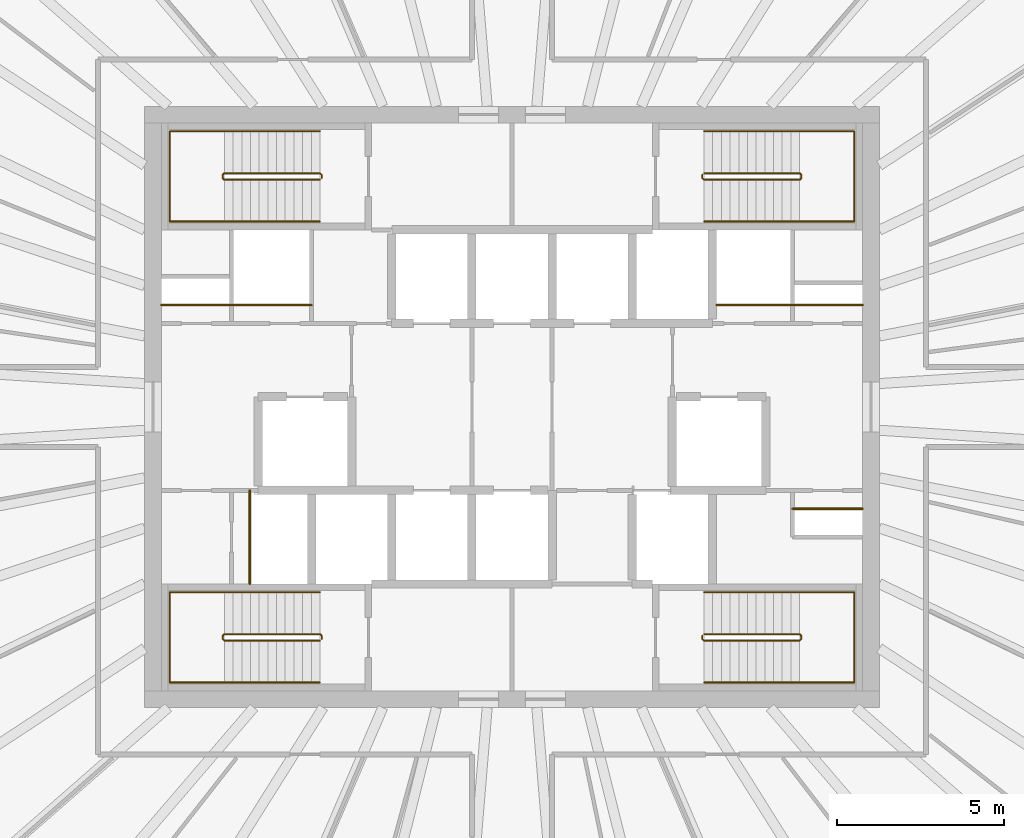
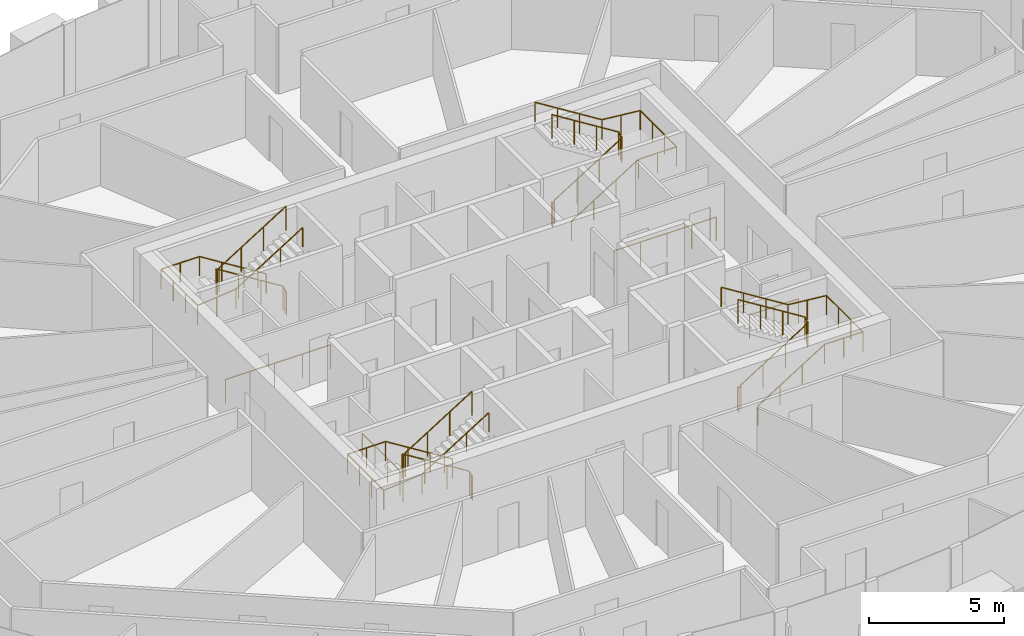
# One storey, part 12 of 12: 14 railings.
"""IFC4 building model written with IfcOpenShell, lengths in metres."""

import ifcopenshell
import ifcopenshell.guid

model = None  # the IFC model being written
_history = None  # IfcOwnerHistory: only IFC2X3 demands one
_inside = {}  # id of a spatial element -> (the spatial element, [elements in it])
_under = {}  # id of a project, library or spatial element -> (it, [spatial elements below it])
_declared = {}  # id of a project -> (the project, [libraries it declares])
_typed = {}  # id of a type object -> (the type object, [elements of that type])
_made_of = {}  # id of a material, layer set ... -> (it, [elements and type objects made of it])


def new_model(schema):
    """Start an empty IFC model of exactly this schema.

    Asked for "IFC4X3", IfcOpenShell would pick the latest addendum, in which some entities
    have other attributes; the version numbers below select the first issue.
    IFC2X3 requires an IfcOwnerHistory on every rooted entity: one is made here for all.
    """
    global model, _history
    if schema == "IFC4X3":
        model = ifcopenshell.file(schema_version=(4, 3, 0, 0))
    else:
        model = ifcopenshell.file(schema=schema)
    _inside.clear()
    _under.clear()
    _declared.clear()
    _typed.clear()
    _made_of.clear()
    _history = None
    if model.schema == "IFC2X3":
        org = make("IfcOrganization", Name="unknown")
        user = make(
            "IfcPersonAndOrganization",
            ThePerson=make("IfcPerson", FamilyName="unknown"),
            TheOrganization=org,
        )
        app = make(
            "IfcApplication",
            ApplicationDeveloper=org,
            Version="unknown",
            ApplicationFullName="unknown",
            ApplicationIdentifier="unknown",
        )
        _history = make(
            "IfcOwnerHistory",
            OwningUser=user,
            OwningApplication=app,
            ChangeAction="ADDED",
            CreationDate=0,
        )
    return model


def make(cls, **values):
    """One entity of the class cls with the attributes given. An attribute that is None is left unset."""
    return model.create_entity(
        cls, **{name: value for name, value in values.items() if value is not None}
    )


def rooted(cls, **values):
    """An entity with a GlobalId (a new one), such as an element, a storey or a relation."""
    return make(cls, GlobalId=ifcopenshell.guid.new(), OwnerHistory=_history, **values)


def si_unit(unit_type, name, prefix=None):
    """IfcSIUnit, for example si_unit("LENGTHUNIT", "METRE", prefix="MILLI")."""
    return make("IfcSIUnit", UnitType=unit_type, Prefix=prefix, Name=name)


def assignment(units):
    """IfcUnitAssignment: the units of a project."""
    return None if units is None else make("IfcUnitAssignment", Units=units)


def point(xyz):
    """IfcCartesianPoint."""
    return None if xyz is None else make("IfcCartesianPoint", Coordinates=xyz)


def direction(xyz):
    """IfcDirection."""
    return None if xyz is None else make("IfcDirection", DirectionRatios=xyz)


def frame(location, z_axis=None, x_axis=None):
    """IfcAxis2Placement3D, a coordinate frame: its origin and axes. An axis left out is left unset."""
    return make(
        "IfcAxis2Placement3D",
        Location=point(location),
        Axis=direction(z_axis),
        RefDirection=direction(x_axis),
    )


def frame_2d(location, x_axis=None):
    """IfcAxis2Placement2D, a coordinate frame in the plane: its origin and x axis."""
    return make(
        "IfcAxis2Placement2D", Location=point(location), RefDirection=direction(x_axis)
    )


def origin():
    """The frame at (0, 0, 0) with its axes left unset."""
    return frame((0.0, 0.0, 0.0))


def origin_2d():
    """The frame at (0, 0) in the plane with its x axis left unset."""
    return frame_2d((0.0, 0.0))


def place(relative_to, where):
    """IfcLocalPlacement: puts the frame where relative to a parent placement (None: the world)."""
    return make(
        "IfcLocalPlacement", PlacementRelTo=relative_to, RelativePlacement=where
    )


def context(
    kind, dimensions, precision=None, world=None, true_north=None, identifier=None
):
    """IfcGeometricRepresentationContext, for example the 3D "Model" context."""
    return make(
        "IfcGeometricRepresentationContext",
        ContextIdentifier=identifier,
        ContextType=kind,
        CoordinateSpaceDimension=dimensions,
        Precision=precision,
        WorldCoordinateSystem=world,
        TrueNorth=true_north,
    )


def subcontext(parent, identifier, kind, view, scale=None):
    """IfcGeometricRepresentationSubContext, for example "Body" below "Model"."""
    return make(
        "IfcGeometricRepresentationSubContext",
        ContextIdentifier=identifier,
        ContextType=kind,
        ParentContext=parent,
        TargetScale=scale,
        TargetView=view,
    )


def project(units=None, contexts=None):
    """IfcProject with its units and contexts."""
    return rooted(
        "IfcProject",
        Name="project",
        RepresentationContexts=contexts,
        UnitsInContext=assignment(units),
    )


def spatial(cls, under=None, at=None, **own):
    """A site, building, storey or space (cls), placed at a placement, below another one or the project."""
    s = rooted(cls, ObjectPlacement=at, **own)
    if under is not None:
        _under.setdefault(under.id(), (under, []))[1].append(s)
    return s


def profile(cls, at=None, kind="AREA", **sizes):
    """A parametric profile (cls). Its sizes go by their IFC names, for example OverallWidth=200.0."""
    return make(cls, ProfileType=kind, Position=at, **sizes)


def circle(**sizes):
    """IfcCircleProfileDef."""
    return profile("IfcCircleProfileDef", **sizes)


def extrude(swept, where, along, depth):
    """IfcExtrudedAreaSolid: the profile swept, set in the frame where, extruded along a direction by depth."""
    return make(
        "IfcExtrudedAreaSolid",
        SweptArea=swept,
        Position=where,
        ExtrudedDirection=direction(along),
        Depth=depth,
    )


def shape(context_of_items, identifier, shape_type, items):
    """IfcShapeRepresentation: the items that make up one representation, for example the "Body"."""
    return make(
        "IfcShapeRepresentation",
        ContextOfItems=context_of_items,
        RepresentationIdentifier=identifier,
        RepresentationType=shape_type,
        Items=items,
    )


def source(mapping_origin, context_of_items, identifier, shape_type, items):
    """IfcRepresentationMap: a shape defined once, which mapped items show again and again."""
    return make(
        "IfcRepresentationMap",
        MappingOrigin=mapping_origin,
        MappedRepresentation=shape(context_of_items, identifier, shape_type, items),
    )


def transform(
    local_origin,
    x_axis=None,
    y_axis=None,
    z_axis=None,
    scale=None,
    scale2=None,
    scale3=None,
    uniform=True,
):
    """IfcCartesianTransformationOperator3D, or its non-uniform kind. x_axis, y_axis, z_axis: its Axis1, 2, 3."""
    if uniform:
        return make(
            "IfcCartesianTransformationOperator3D",
            Axis1=direction(x_axis),
            Axis2=direction(y_axis),
            LocalOrigin=point(local_origin),
            Scale=scale,
            Axis3=direction(z_axis),
        )
    return make(
        "IfcCartesianTransformationOperator3DnonUniform",
        Axis1=direction(x_axis),
        Axis2=direction(y_axis),
        LocalOrigin=point(local_origin),
        Scale=scale,
        Axis3=direction(z_axis),
        Scale2=scale2,
        Scale3=scale3,
    )


def mapped(mapping_source, mapping_target):
    """IfcMappedItem: shows the shape of a source again, moved by a transform."""
    return make(
        "IfcMappedItem", MappingSource=mapping_source, MappingTarget=mapping_target
    )


def material(Name=None, Category=None):
    """IfcMaterial."""
    return make("IfcMaterial", Name=Name, Category=Category)


def made_of(thing, what):
    """Note that an element or type object is made of a material, layer set ...; save() writes the relation."""
    if what is not None:
        _made_of.setdefault(what.id(), (what, []))[1].append(thing)
    return thing


def type_object(cls, material=None, **own):
    """A type object (cls), such as IfcWallType, which elements share."""
    return made_of(rooted(cls, **own), material)


def element(
    cls,
    number,
    at=None,
    inside=None,
    cuts=None,
    type_object=None,
    material=None,
    context=None,
    identifier="Body",
    shape_type=None,
    held_by="IfcProductDefinitionShape",
    body=None,
    shapes=None,
    **own,
):
    """One element of the class cls, such as IfcWall. Its Tag is "e" and its number.

    at: its placement. inside: the storey or other place that contains it. cuts: it is an
    opening in that element (IfcRelVoidsElement). A single representation is given by context,
    identifier, shape_type and body (its items); several are given by shapes. held_by: the class
    of the entity that holds the representations. save() writes the other relations.
    """
    e = rooted(cls, Tag="e%d" % number, ObjectPlacement=at, **own)
    if body is not None:
        shapes = [shape(context, identifier, shape_type, body)]
    if shapes is not None:
        e.Representation = make(held_by, Representations=shapes)
    if inside is not None:
        _inside.setdefault(inside.id(), (inside, []))[1].append(e)
    if cuts is not None:
        rooted(
            "IfcRelVoidsElement", RelatingBuildingElement=cuts, RelatedOpeningElement=e
        )
    if type_object is not None:
        _typed.setdefault(type_object.id(), (type_object, []))[1].append(e)
    return made_of(e, material)


def aggregate(whole, parts):
    """IfcRelAggregates: a whole, such as a stair, and the parts it consists of."""
    return rooted("IfcRelAggregates", RelatingObject=whole, RelatedObjects=parts)


def save(model, path):
    """Write the relations noted so far, then the file.

    IfcRelAggregates (storeys below a building ...), IfcRelContainedInSpatialStructure (elements
    in a storey), IfcRelDefinesByType, IfcRelAssociatesMaterial and IfcRelDeclares: one each for
    every whole, place, type object, material and project.
    """
    for whole, parts in _under.values():
        aggregate(whole, parts)
    for where, things in _inside.values():
        rooted(
            "IfcRelContainedInSpatialStructure",
            RelatedElements=things,
            RelatingStructure=where,
        )
    for kind, things in _typed.values():
        rooted("IfcRelDefinesByType", RelatedObjects=things, RelatingType=kind)
    for what, things in _made_of.values():
        rooted("IfcRelAssociatesMaterial", RelatedObjects=things, RelatingMaterial=what)
    for by, libraries in _declared.values():
        rooted("IfcRelDeclares", RelatingContext=by, RelatedDefinitions=libraries)
    model.write(path)


model = new_model("IFC4")

# Units and contexts
model_context = context("Model", 3, precision=1e-05, world=origin(), true_north=direction((0.0, 1.0)))
body_context = subcontext(model_context, "Body", "Model", "MODEL_VIEW")
ifc_project = project(units=[si_unit("LENGTHUNIT", "METRE"), si_unit("AREAUNIT", "SQUARE_METRE"), si_unit("VOLUMEUNIT", "CUBIC_METRE"), si_unit("PLANEANGLEUNIT", "RADIAN"), si_unit("MASSUNIT", "GRAM", prefix="KILO")], contexts=[model_context])

# Site, building, storey
site_placement = place(None, origin())
site = spatial("IfcSite", under=ifc_project, at=site_placement, CompositionType="ELEMENT")
building_placement = place(site_placement, origin())
building = spatial("IfcBuilding", under=site, at=building_placement, Name="Embergate Tower", CompositionType="ELEMENT")
storey_placement = place(building_placement, frame((0.0, 0.0, 285.10009765625)))
storey = spatial("IfcBuildingStorey", under=building, at=storey_placement, Name="L66", CompositionType="ELEMENT", Elevation=285.10009765625)

# Railings
ifc_material_1 = material(Name="Stair handrail 900")
railing_type_1 = type_object("IfcRailingType", Name="Stair handrail 900", PredefinedType="HANDRAIL", material=ifc_material_1)
shared_shape_1 = source(origin(), body_context, "Body", "SweptSolid", [
    extrude(circle(Radius=0.02392578125, at=origin_2d()), frame((0.0, 0.0, 0.8759765625), z_axis=(-0.847994237388, 0.0, 0.530005446535), x_axis=(0.0, -1.0, 0.0)), (0.0, 0.0, 1.0), 3.372802734375),
    extrude(circle(Radius=0.02392578125, at=origin_2d()), frame((-2.860107421875, 0.0, 2.66357421875), z_axis=(-1.0, 0.0, 0.0), x_axis=(0.0, -1.0, 0.0)), (0.0, 0.0, 1.0), 1.639892578125),
    extrude(circle(Radius=0.02392578125, at=origin_2d()), frame((-4.5, 0.0, 2.66357421875), z_axis=(0.0, -1.0, 0.0), x_axis=(1.0, 0.0, 0.0)), (0.0, 0.0, 1.0), 2.699951171875),
    extrude(circle(Radius=0.02392578125, at=origin_2d()), frame((-4.5, -2.699951171875, 2.66357421875), z_axis=(0.995134983717, 0.0, 0.098520881967), x_axis=(0.0, 1.0, 0.0)), (0.0, 0.0, 1.0), 1.64794921875),
    extrude(circle(Radius=0.02392578125, at=origin_2d()), frame((-2.860107421875, -2.699951171875, 2.82568359375), z_axis=(0.847994237388, 0.0, 0.530005446535), x_axis=(0.0, 1.0, 0.0)), (0.0, 0.0, 1.0), 3.372802734375),
    extrude(circle(Radius=0.02099609375, at=origin_2d()), origin(), (0.0, 0.0, 1.0), 0.851806640625),
    extrude(circle(Radius=0.02099609375, at=origin_2d()), frame((-0.953369140625, 0.0, 0.595947265625)), (0.0, 0.0, 1.0), 0.851806640625),
    extrude(circle(Radius=0.02099609375, at=origin_2d()), frame((-1.90673828125, 0.0, 1.191650390625)), (0.0, 0.0, 1.0), 0.851806640625),
    extrude(circle(Radius=0.02099609375, at=origin_2d()), frame((-2.860107421875, 0.0, 1.78759765625)), (0.0, 0.0, 1.0), 0.851806640625),
    extrude(circle(Radius=0.02099609375, at=origin_2d()), frame((-3.68017578125, 0.0, 1.78759765625)), (0.0, 0.0, 1.0), 0.851806640625),
    extrude(circle(Radius=0.02099609375, at=origin_2d()), frame((-4.5, 0.0, 1.78759765625)), (0.0, 0.0, 1.0), 0.851806640625),
    extrude(circle(Radius=0.02099609375, at=origin_2d()), frame((-4.5, -0.89990234375, 1.78759765625)), (0.0, 0.0, 1.0), 0.851806640625),
    extrude(circle(Radius=0.02099609375, at=origin_2d()), frame((-4.5, -1.800048828125, 1.78759765625)), (0.0, 0.0, 1.0), 0.851806640625),
    extrude(circle(Radius=0.02099609375, at=origin_2d()), frame((-4.5, -2.699951171875, 1.78759765625)), (0.0, 0.0, 1.0), 0.851806640625),
    extrude(circle(Radius=0.02099609375, at=origin_2d()), frame((-3.68017578125, -2.699951171875, 1.86865234375)), (0.0, 0.0, 1.0), 0.851806640625),
    extrude(circle(Radius=0.02099609375, at=origin_2d()), frame((-2.860107421875, -2.699951171875, 1.949951171875)), (0.0, 0.0, 1.0), 0.851806640625),
    extrude(circle(Radius=0.02099609375, at=origin_2d()), frame((-1.90673828125, -2.699951171875, 2.5458984375)), (0.0, 0.0, 1.0), 0.851806640625),
    extrude(circle(Radius=0.02099609375, at=origin_2d()), frame((-0.953369140625, -2.699951171875, 3.1416015625)), (0.0, 0.0, 1.0), 0.851806640625),
    extrude(circle(Radius=0.02099609375, at=origin_2d()), frame((0.0, -2.699951171875, 3.737548828125)), (0.0, 0.0, 1.0), 0.851806640625),
])
for number, where, name in (
    (1, (-5.75, 8.25, 0.162353515625), "L66 ST1 stair handrail 1"),
    (2, (-5.75, -5.550048828125, 0.162353515625), "L66 ST3 stair handrail 1"),
):
    element("IfcRailing", number, at=place(storey_placement, frame(where)), inside=storey, type_object=railing_type_1, Name=name, PredefinedType="HANDRAIL", context=body_context, shape_type="MappedRepresentation", body=[
        mapped(shared_shape_1, transform((0.0, 0.0, 0.0))),
    ])
ifc_material_2 = material(Name="Stair guard 1100")
railing_type_2 = type_object("IfcRailingType", Name="Stair guard 1100", PredefinedType="GUARDRAIL", material=ifc_material_2)
shared_shape_2 = source(origin(), body_context, "Body", "SweptSolid", [
    extrude(circle(Radius=0.02392578125, at=origin_2d()), frame((0.0, 0.0, 1.076171875), z_axis=(0.0, 1.0, 0.0), x_axis=(-1.0, 0.0, 0.0)), (0.0, 0.0, 1.0), 0.099853515625),
    extrude(circle(Radius=0.02392578125, at=origin_2d()), frame((0.0, 0.099853515625, 1.076171875), z_axis=(-0.282583949758, 0.282583949758, 0.916674763849), x_axis=(-0.707106781187, -0.707106781187, 0.0)), (0.0, 0.0, 1.0), 0.177001953125),
    extrude(circle(Radius=0.02392578125, at=origin_2d()), frame((-0.050048828125, 0.14990234375, 1.23828125), z_axis=(-0.847994237388, 0.0, 0.530005446535), x_axis=(0.0, -1.0, 0.0)), (0.0, 0.0, 1.0), 3.372802734375),
    extrude(circle(Radius=0.02392578125, at=origin_2d()), frame((-2.91015625, 0.14990234375, 3.02587890625), z_axis=(-0.705375805398, -0.708833529934, 0.0), x_axis=(0.708833529934, -0.705375805398, 0.0)), (0.0, 0.0, 1.0), 0.070556640625),
    extrude(circle(Radius=0.02392578125, at=origin_2d()), frame((-2.9599609375, 0.099853515625, 3.02587890625), z_axis=(0.0, -1.0, 0.0), x_axis=(1.0, 0.0, 0.0)), (0.0, 0.0, 1.0), 0.099853515625),
    extrude(circle(Radius=0.02392578125, at=origin_2d()), frame((-2.9599609375, 0.0, 3.02587890625), z_axis=(0.281314826061, -0.282693820306, 0.917031173188), x_axis=(0.708833529934, 0.705375805398, 0.0)), (0.0, 0.0, 1.0), 0.177001953125),
    extrude(circle(Radius=0.02392578125, at=origin_2d()), frame((-2.91015625, -0.050048828125, 3.1884765625), z_axis=(0.847994237388, 0.0, 0.530005446535), x_axis=(0.0, 1.0, 0.0)), (0.0, 0.0, 1.0), 3.372802734375),
    extrude(circle(Radius=0.02099609375, at=origin_2d()), origin(), (0.0, 0.0, 1.0), 1.052001953125),
    extrude(circle(Radius=0.02099609375, at=origin_2d()), frame((0.0, 0.099853515625, 0.0)), (0.0, 0.0, 1.0), 1.052001953125),
    extrude(circle(Radius=0.02099609375, at=origin_2d()), frame((-0.050048828125, 0.14990234375, 0.162353515625)), (0.0, 0.0, 1.0), 1.052001953125),
    extrude(circle(Radius=0.02099609375, at=origin_2d()), frame((-1.00341796875, 0.14990234375, 0.75830078125)), (0.0, 0.0, 1.0), 1.052001953125),
    extrude(circle(Radius=0.02099609375, at=origin_2d()), frame((-1.956787109375, 0.14990234375, 1.35400390625)), (0.0, 0.0, 1.0), 1.052001953125),
    extrude(circle(Radius=0.02099609375, at=origin_2d()), frame((-2.91015625, 0.14990234375, 1.949951171875)), (0.0, 0.0, 1.0), 1.052001953125),
    extrude(circle(Radius=0.02099609375, at=origin_2d()), frame((-2.9599609375, 0.099853515625, 1.949951171875)), (0.0, 0.0, 1.0), 1.052001953125),
    extrude(circle(Radius=0.02099609375, at=origin_2d()), frame((-2.9599609375, 0.0, 1.949951171875)), (0.0, 0.0, 1.0), 1.052001953125),
    extrude(circle(Radius=0.02099609375, at=origin_2d()), frame((-2.91015625, -0.050048828125, 2.1123046875)), (0.0, 0.0, 1.0), 1.052001953125),
    extrude(circle(Radius=0.02099609375, at=origin_2d()), frame((-1.956787109375, -0.050048828125, 2.708251953125)), (0.0, 0.0, 1.0), 1.052001953125),
    extrude(circle(Radius=0.02099609375, at=origin_2d()), frame((-1.00341796875, -0.050048828125, 3.303955078125)), (0.0, 0.0, 1.0), 1.052001953125),
    extrude(circle(Radius=0.02099609375, at=origin_2d()), frame((-0.050048828125, -0.050048828125, 3.89990234375)), (0.0, 0.0, 1.0), 1.052001953125),
])
for number, where, name in (
    (3, (-5.699951171875, 6.85009765625, 0.0), "L66 ST1 stair guard 1"),
    (4, (-5.699951171875, -6.949951171875, 0.0), "L66 ST3 stair guard 1"),
):
    element("IfcRailing", number, at=place(storey_placement, frame(where)), inside=storey, type_object=railing_type_2, Name=name, PredefinedType="GUARDRAIL", context=body_context, shape_type="MappedRepresentation", body=[
        mapped(shared_shape_2, transform((0.0, 0.0, 0.0))),
    ])
shared_shape_3 = source(origin(), body_context, "Body", "SweptSolid", [
    extrude(circle(Radius=0.02392578125, at=origin_2d()), frame((0.0, 0.0, 0.8759765625), z_axis=(0.847994237388, 0.0, 0.530005446535), x_axis=(0.0, 1.0, 0.0)), (0.0, 0.0, 1.0), 3.372802734375),
    extrude(circle(Radius=0.02392578125, at=origin_2d()), frame((2.860107421875, 0.0, 2.66357421875), z_axis=(1.0, 0.0, 0.0), x_axis=(0.0, 1.0, 0.0)), (0.0, 0.0, 1.0), 1.639892578125),
    extrude(circle(Radius=0.02392578125, at=origin_2d()), frame((4.5, 0.0, 2.66357421875), z_axis=(0.0, 1.0, 0.0), x_axis=(-1.0, 0.0, 0.0)), (0.0, 0.0, 1.0), 2.699951171875),
    extrude(circle(Radius=0.02392578125, at=origin_2d()), frame((4.5, 2.699951171875, 2.66357421875), z_axis=(-0.995134983717, 0.0, 0.098520881967), x_axis=(0.0, -1.0, 0.0)), (0.0, 0.0, 1.0), 1.64794921875),
    extrude(circle(Radius=0.02392578125, at=origin_2d()), frame((2.860107421875, 2.699951171875, 2.82568359375), z_axis=(-0.847994237388, 0.0, 0.530005446535), x_axis=(0.0, -1.0, 0.0)), (0.0, 0.0, 1.0), 3.372802734375),
    extrude(circle(Radius=0.02099609375, at=origin_2d()), origin(), (0.0, 0.0, 1.0), 0.851806640625),
    extrude(circle(Radius=0.02099609375, at=origin_2d()), frame((0.953369140625, 0.0, 0.595947265625)), (0.0, 0.0, 1.0), 0.851806640625),
    extrude(circle(Radius=0.02099609375, at=origin_2d()), frame((1.90673828125, 0.0, 1.191650390625)), (0.0, 0.0, 1.0), 0.851806640625),
    extrude(circle(Radius=0.02099609375, at=origin_2d()), frame((2.860107421875, 0.0, 1.78759765625)), (0.0, 0.0, 1.0), 0.851806640625),
    extrude(circle(Radius=0.02099609375, at=origin_2d()), frame((3.68017578125, 0.0, 1.78759765625)), (0.0, 0.0, 1.0), 0.851806640625),
    extrude(circle(Radius=0.02099609375, at=origin_2d()), frame((4.5, 0.0, 1.78759765625)), (0.0, 0.0, 1.0), 0.851806640625),
    extrude(circle(Radius=0.02099609375, at=origin_2d()), frame((4.5, 0.89990234375, 1.78759765625)), (0.0, 0.0, 1.0), 0.851806640625),
    extrude(circle(Radius=0.02099609375, at=origin_2d()), frame((4.5, 1.800048828125, 1.78759765625)), (0.0, 0.0, 1.0), 0.851806640625),
    extrude(circle(Radius=0.02099609375, at=origin_2d()), frame((4.5, 2.699951171875, 1.78759765625)), (0.0, 0.0, 1.0), 0.851806640625),
    extrude(circle(Radius=0.02099609375, at=origin_2d()), frame((3.68017578125, 2.699951171875, 1.86865234375)), (0.0, 0.0, 1.0), 0.851806640625),
    extrude(circle(Radius=0.02099609375, at=origin_2d()), frame((2.860107421875, 2.699951171875, 1.949951171875)), (0.0, 0.0, 1.0), 0.851806640625),
    extrude(circle(Radius=0.02099609375, at=origin_2d()), frame((1.90673828125, 2.699951171875, 2.5458984375)), (0.0, 0.0, 1.0), 0.851806640625),
    extrude(circle(Radius=0.02099609375, at=origin_2d()), frame((0.953369140625, 2.699951171875, 3.1416015625)), (0.0, 0.0, 1.0), 0.851806640625),
    extrude(circle(Radius=0.02099609375, at=origin_2d()), frame((0.0, 2.699951171875, 3.737548828125)), (0.0, 0.0, 1.0), 0.851806640625),
])
for number, where, name in (
    (5, (5.75, 5.550048828125, 0.162353515625), "L66 ST2 stair handrail 1"),
    (6, (5.75, -8.25, 0.162353515625), "L66 ST4 stair handrail 1"),
):
    element("IfcRailing", number, at=place(storey_placement, frame(where)), inside=storey, type_object=railing_type_1, Name=name, PredefinedType="HANDRAIL", context=body_context, shape_type="MappedRepresentation", body=[
        mapped(shared_shape_3, transform((0.0, 0.0, 0.0))),
    ])
shared_shape_4 = source(origin(), body_context, "Body", "SweptSolid", [
    extrude(circle(Radius=0.02392578125, at=origin_2d()), frame((0.0, 0.0, 1.076171875), z_axis=(0.0, -1.0, 0.0), x_axis=(1.0, 0.0, 0.0)), (0.0, 0.0, 1.0), 0.099853515625),
    extrude(circle(Radius=0.02392578125, at=origin_2d()), frame((0.0, -0.099853515625, 1.076171875), z_axis=(0.282583949758, -0.282583949758, 0.916674763849), x_axis=(0.707106781187, 0.707106781187, 0.0)), (0.0, 0.0, 1.0), 0.177001953125),
    extrude(circle(Radius=0.02392578125, at=origin_2d()), frame((0.050048828125, -0.14990234375, 1.23828125), z_axis=(0.847994237388, 0.0, 0.530005446535), x_axis=(0.0, 1.0, 0.0)), (0.0, 0.0, 1.0), 3.372802734375),
    extrude(circle(Radius=0.02392578125, at=origin_2d()), frame((2.91015625, -0.14990234375, 3.02587890625), z_axis=(0.705375805398, 0.708833529934, 0.0), x_axis=(-0.708833529934, 0.705375805398, 0.0)), (0.0, 0.0, 1.0), 0.070556640625),
    extrude(circle(Radius=0.02392578125, at=origin_2d()), frame((2.9599609375, -0.099853515625, 3.02587890625), z_axis=(0.0, 1.0, 0.0), x_axis=(-1.0, 0.0, 0.0)), (0.0, 0.0, 1.0), 0.099853515625),
    extrude(circle(Radius=0.02392578125, at=origin_2d()), frame((2.9599609375, 0.0, 3.02587890625), z_axis=(-0.281314826061, 0.282693820306, 0.917031173188), x_axis=(-0.708833529934, -0.705375805398, 0.0)), (0.0, 0.0, 1.0), 0.177001953125),
    extrude(circle(Radius=0.02392578125, at=origin_2d()), frame((2.91015625, 0.050048828125, 3.1884765625), z_axis=(-0.847994237388, 0.0, 0.530005446535), x_axis=(0.0, -1.0, 0.0)), (0.0, 0.0, 1.0), 3.372802734375),
    extrude(circle(Radius=0.02099609375, at=origin_2d()), origin(), (0.0, 0.0, 1.0), 1.052001953125),
    extrude(circle(Radius=0.02099609375, at=origin_2d()), frame((0.0, -0.099853515625, 0.0)), (0.0, 0.0, 1.0), 1.052001953125),
    extrude(circle(Radius=0.02099609375, at=origin_2d()), frame((0.050048828125, -0.14990234375, 0.162353515625)), (0.0, 0.0, 1.0), 1.052001953125),
    extrude(circle(Radius=0.02099609375, at=origin_2d()), frame((1.00341796875, -0.14990234375, 0.75830078125)), (0.0, 0.0, 1.0), 1.052001953125),
    extrude(circle(Radius=0.02099609375, at=origin_2d()), frame((1.956787109375, -0.14990234375, 1.35400390625)), (0.0, 0.0, 1.0), 1.052001953125),
    extrude(circle(Radius=0.02099609375, at=origin_2d()), frame((2.91015625, -0.14990234375, 1.949951171875)), (0.0, 0.0, 1.0), 1.052001953125),
    extrude(circle(Radius=0.02099609375, at=origin_2d()), frame((2.9599609375, -0.099853515625, 1.949951171875)), (0.0, 0.0, 1.0), 1.052001953125),
    extrude(circle(Radius=0.02099609375, at=origin_2d()), frame((2.9599609375, 0.0, 1.949951171875)), (0.0, 0.0, 1.0), 1.052001953125),
    extrude(circle(Radius=0.02099609375, at=origin_2d()), frame((2.91015625, 0.050048828125, 2.1123046875)), (0.0, 0.0, 1.0), 1.052001953125),
    extrude(circle(Radius=0.02099609375, at=origin_2d()), frame((1.956787109375, 0.050048828125, 2.708251953125)), (0.0, 0.0, 1.0), 1.052001953125),
    extrude(circle(Radius=0.02099609375, at=origin_2d()), frame((1.00341796875, 0.050048828125, 3.303955078125)), (0.0, 0.0, 1.0), 1.052001953125),
    extrude(circle(Radius=0.02099609375, at=origin_2d()), frame((0.050048828125, 0.050048828125, 3.89990234375)), (0.0, 0.0, 1.0), 1.052001953125),
])
for number, where, name in (
    (7, (5.699951171875, 6.949951171875, 0.0), "L66 ST2 stair guard 1"),
    (8, (5.699951171875, -6.85009765625, 0.0), "L66 ST4 stair guard 1"),
):
    element("IfcRailing", number, at=place(storey_placement, frame(where)), inside=storey, type_object=railing_type_2, Name=name, PredefinedType="GUARDRAIL", context=body_context, shape_type="MappedRepresentation", body=[
        mapped(shared_shape_4, transform((0.0, 0.0, 0.0))),
    ])
ifc_material_3 = material(Name="Opening guard 1100")
railing_type_3 = type_object("IfcRailingType", Name="Opening guard 1100", PredefinedType="GUARDRAIL", material=ifc_material_3)
shared_shape_5 = source(origin(), body_context, "Body", "SweptSolid", [
    extrude(circle(Radius=0.02392578125, at=origin_2d()), frame((0.0, 0.0, 1.076171875), z_axis=(1.0, 0.0, 0.0), x_axis=(0.0, 1.0, 0.0)), (0.0, 0.0, 1.0), 2.27490234375),
    extrude(circle(Radius=0.02099609375, at=origin_2d()), origin(), (0.0, 0.0, 1.0), 1.052001953125),
    extrude(circle(Radius=0.02099609375, at=origin_2d()), frame((1.137451171875, 0.0, 0.0)), (0.0, 0.0, 1.0), 1.052001953125),
    extrude(circle(Radius=0.02099609375, at=origin_2d()), frame((2.27490234375, 0.0, 0.0)), (0.0, 0.0, 1.0), 1.052001953125),
])
railing_1_placement = place(storey_placement, frame((6.125, 3.050048828125, 0.0)))
element("IfcRailing", 9, at=railing_1_placement, inside=storey, type_object=railing_type_3, Name="Riser opening guard", PredefinedType="GUARDRAIL", context=body_context, shape_type="MappedRepresentation", body=[
    mapped(shared_shape_5, transform((0.0, 0.0, 0.0))),
])
shared_shape_6 = source(origin(), body_context, "Body", "SweptSolid", [
    extrude(circle(Radius=0.02392578125, at=origin_2d()), frame((0.0, 0.0, 1.076171875), z_axis=(0.0, 1.0, 0.0), x_axis=(-1.0, 0.0, 0.0)), (0.0, 0.0, 1.0), 2.800048828125),
    extrude(circle(Radius=0.02099609375, at=origin_2d()), origin(), (0.0, 0.0, 1.0), 1.052001953125),
    extrude(circle(Radius=0.02099609375, at=origin_2d()), frame((0.0, 0.933349609375, 0.0)), (0.0, 0.0, 1.0), 1.052001953125),
    extrude(circle(Radius=0.02099609375, at=origin_2d()), frame((0.0, 1.86669921875, 0.0)), (0.0, 0.0, 1.0), 1.052001953125),
    extrude(circle(Radius=0.02099609375, at=origin_2d()), frame((0.0, 2.800048828125, 0.0)), (0.0, 0.0, 1.0), 1.052001953125),
])
railing_2_placement = place(storey_placement, frame((-7.85009765625, -5.300048828125, 0.0)))
element("IfcRailing", 10, at=railing_2_placement, inside=storey, type_object=railing_type_3, Name="Riser opening guard", PredefinedType="GUARDRAIL", context=body_context, shape_type="MappedRepresentation", body=[
    mapped(shared_shape_6, transform((0.0, 0.0, 0.0))),
])
shared_shape_7 = source(origin(), body_context, "Body", "SweptSolid", [
    extrude(circle(Radius=0.02392578125, at=origin_2d()), frame((0.0, 0.0, 1.076171875), z_axis=(1.0, 0.0, 0.0), x_axis=(0.0, 1.0, 0.0)), (0.0, 0.0, 1.0), 2.39990234375),
    extrude(circle(Radius=0.02099609375, at=origin_2d()), origin(), (0.0, 0.0, 1.0), 1.052001953125),
    extrude(circle(Radius=0.02099609375, at=origin_2d()), frame((1.199951171875, 0.0, 0.0)), (0.0, 0.0, 1.0), 1.052001953125),
    extrude(circle(Radius=0.02099609375, at=origin_2d()), frame((2.39990234375, 0.0, 0.0)), (0.0, 0.0, 1.0), 1.052001953125),
])
railing_3_placement = place(storey_placement, frame((-8.39990234375, 3.050048828125, 0.0)))
element("IfcRailing", 11, at=railing_3_placement, inside=storey, type_object=railing_type_3, Name="Riser opening guard", PredefinedType="GUARDRAIL", context=body_context, shape_type="MappedRepresentation", body=[
    mapped(shared_shape_7, transform((0.0, 0.0, 0.0))),
])
shared_shape_8 = source(origin(), body_context, "Body", "SweptSolid", [
    extrude(circle(Radius=0.02392578125, at=origin_2d()), frame((0.0, 0.0, 1.076171875), z_axis=(1.0, 0.0, 0.0), x_axis=(0.0, 1.0, 0.0)), (0.0, 0.0, 1.0), 2.10009765625),
    extrude(circle(Radius=0.02099609375, at=origin_2d()), origin(), (0.0, 0.0, 1.0), 1.052001953125),
    extrude(circle(Radius=0.02099609375, at=origin_2d()), frame((1.050048828125, 0.0, 0.0)), (0.0, 0.0, 1.0), 1.052001953125),
    extrude(circle(Radius=0.02099609375, at=origin_2d()), frame((2.10009765625, 0.0, 0.0)), (0.0, 0.0, 1.0), 1.052001953125),
])
for number, where, name in (
    (12, (-10.5, 3.050048828125, 0.0), "Riser opening guard"),
    (13, (8.39990234375, 3.050048828125, 0.0), "Riser opening guard"),
    (14, (8.39990234375, -3.050048828125, 0.0), "Riser opening guard"),
):
    element("IfcRailing", number, at=place(storey_placement, frame(where)), inside=storey, type_object=railing_type_3, Name=name, PredefinedType="GUARDRAIL", context=body_context, shape_type="MappedRepresentation", body=[
        mapped(shared_shape_8, transform((0.0, 0.0, 0.0))),
    ])

save(model, "model.ifc")
